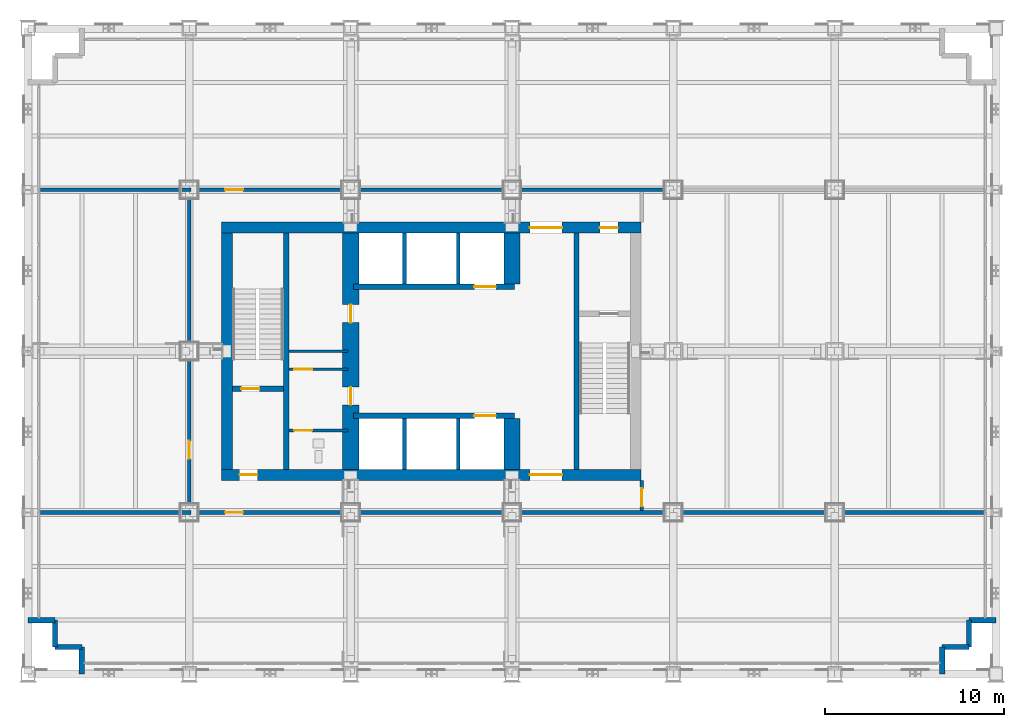
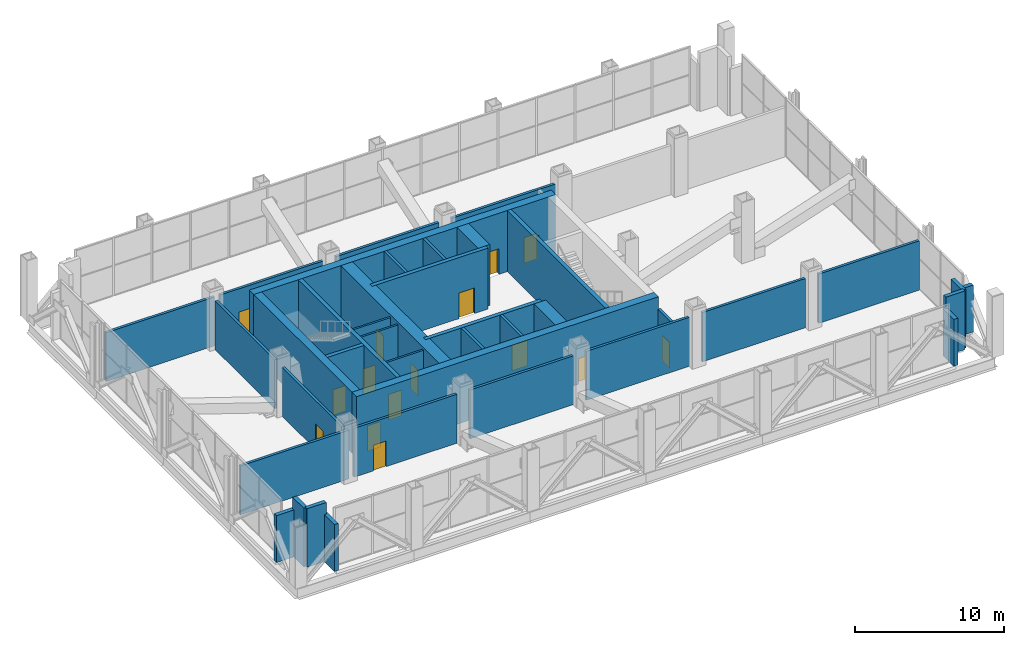
# One storey, part 16 of 19: 39 walls, 15 doors, 15 openings.
"""IFC4 building model written with IfcOpenShell, lengths in metres."""

from ifc_helpers import new_model, si_unit, direction, frame, frame_2d, origin, place, context, subcontext, project, spatial, rectangle, extrude, material, layer, layer_set, type_object, element, fill, save


model = new_model("IFC4")

# Units and contexts
model_context = context("Model", 3, precision=1e-05, world=origin(), true_north=direction((0.0, 1.0)))
body_context = subcontext(model_context, "Body", "Model", "MODEL_VIEW")
ifc_project = project(units=[si_unit("LENGTHUNIT", "METRE"), si_unit("AREAUNIT", "SQUARE_METRE"), si_unit("VOLUMEUNIT", "CUBIC_METRE"), si_unit("PLANEANGLEUNIT", "RADIAN"), si_unit("MASSUNIT", "GRAM", prefix="KILO")], contexts=[model_context])

# Site, building, storey
site_placement = place(None, origin())
site = spatial("IfcSite", under=ifc_project, at=site_placement, CompositionType="ELEMENT")
building_placement = place(site_placement, origin())
building = spatial("IfcBuilding", under=site, at=building_placement, Name="Loomwork Tower", CompositionType="ELEMENT")
storey_placement = place(building_placement, frame((0.0, 0.0, 89.199951171875)))
storey = spatial("IfcBuildingStorey", under=building, at=storey_placement, Name="L23", CompositionType="ELEMENT", Elevation=89.199951171875)

# Wall
ifc_material_1 = material(Name="Concrete 14000 psi (97 MPa)", Category="concrete")
ifc_layer_1 = layer(ifc_material_1, 0.300048828125)
ifc_layer_set_1 = layer_set([ifc_layer_1], Name="Core shear wall 300")
wall_type_1 = type_object("IfcWallType", Name="Core shear wall 300", PredefinedType="SHEAR", material=ifc_layer_set_1)
wall_1_placement = place(storey_placement, frame((14.39990234375, 11.39990234375, 0.0), z_axis=(0.0, 0.0, 1.0), x_axis=(0.0, 1.0, 0.0)))
element("IfcWall", 1, at=wall_1_placement, inside=storey, type_object=wall_type_1, Name="Stair A east wall L23", PredefinedType="SHEAR", context=body_context, shape_type="SweptSolid", body=[
    extrude(rectangle(XDim=13.2001953125, YDim=0.300048828125, at=frame_2d((6.60009765625, 0.0))), origin(), (0.0, 0.0, 1.0), 5.0),
])

# Wall, opening, door
wall_2_placement = place(storey_placement, frame((11.39990234375, 15.89990234375, 0.0), z_axis=(0.0, 0.0, 1.0), x_axis=(1.0, 0.0, 0.0)))
wall_2 = element("IfcWall", 2, at=wall_2_placement, inside=storey, type_object=wall_type_1, Name="Stair A south wall L23", PredefinedType="SHEAR", context=body_context, shape_type="SweptSolid", body=[
    extrude(rectangle(XDim=2.85009765625, YDim=0.300048828125, at=frame_2d((1.425048828125, 0.0))), origin(), (0.0, 0.0, 1.0), 5.0),
])
opening_1_placement = place(wall_2_placement, frame((0.5, 0.0, 0.0)))
opening_1 = element("IfcOpeningElement", 3, at=opening_1_placement, cuts=wall_2, Name="Opening D4", PredefinedType="OPENING", context=body_context, shape_type="SweptSolid", body=[
    extrude(rectangle(XDim=1.0, YDim=2.10009765625, at=frame_2d((0.5, 1.050048828125))), frame((0.0, 0.159912109375, 0.0), z_axis=(0.0, -1.0, 0.0), x_axis=(1.0, 0.0, 0.0)), (0.0, 0.0, 1.0), 0.320068359375),
])
ifc_material_2 = material(Name="Hollow metal door and frame")
door_type_1 = type_object("IfcDoorType", Name="Stair door 1000", OperationType="SINGLE_SWING_RIGHT", PredefinedType="DOOR", material=ifc_material_2)
door_1_placement = place(opening_1_placement, origin())
door_1 = element("IfcDoor", 4, at=door_1_placement, inside=storey, type_object=door_type_1, Name="Stair A door", OperationType="SINGLE_SWING_LEFT", OverallHeight=2.10009765625, OverallWidth=1.0, PredefinedType="DOOR", context=body_context, shape_type="SweptSolid", body=[
    extrude(rectangle(XDim=1.0, YDim=2.10009765625, at=frame_2d((0.5, 1.050048828125))), frame((0.0, 0.02490234375, 0.0), z_axis=(0.0, -1.0, 0.0), x_axis=(1.0, 0.0, 0.0)), (0.0, 0.0, 1.0), 0.050048828125),
])
fill(opening_1, door_1)

wall_3_placement = place(storey_placement, frame((18.14990234375, 14.39990234375, 0.0), z_axis=(0.0, 0.0, 1.0), x_axis=(1.0, 0.0, 0.0)))
wall_3 = element("IfcWall", 5, at=wall_3_placement, inside=storey, type_object=wall_type_1, Name="Lift front wall south L23", PredefinedType="SHEAR", context=body_context, shape_type="SweptSolid", body=[
    extrude(rectangle(XDim=9.0, YDim=0.300048828125, at=frame_2d((4.5, 0.0))), origin(), (0.0, 0.0, 1.0), 5.0),
])
opening_2_placement = place(wall_3_placement, frame((6.75, 0.0, 0.0)))
opening_2 = element("IfcOpeningElement", 6, at=opening_2_placement, cuts=wall_3, Name="Opening LD2", PredefinedType="OPENING", context=body_context, shape_type="SweptSolid", body=[
    extrude(rectangle(XDim=1.199951171875, YDim=2.10009765625, at=frame_2d((0.60009765625, 1.050048828125))), frame((0.0, 0.159912109375, 0.0), z_axis=(0.0, -1.0, 0.0), x_axis=(1.0, 0.0, 0.0)), (0.0, 0.0, 1.0), 0.320068359375),
])
ifc_material_3 = material(Name="Hollow metal door and frame")
door_type_2 = type_object("IfcDoorType", Name="Lift landing door 1200", OperationType="SLIDING_TO_LEFT", PredefinedType="DOOR", material=ifc_material_3)
door_2_placement = place(opening_2_placement, origin())
door_2 = element("IfcDoor", 7, at=door_2_placement, inside=storey, type_object=door_type_2, Name="Lift landing door LF1", OperationType="SLIDING_TO_LEFT", OverallHeight=2.10009765625, OverallWidth=1.199951171875, PredefinedType="DOOR", context=body_context, shape_type="SweptSolid", body=[
    extrude(rectangle(XDim=1.199951171875, YDim=2.10009765625, at=frame_2d((0.60009765625, 1.050048828125))), frame((0.0, 0.02490234375, 0.0), z_axis=(0.0, -1.0, 0.0), x_axis=(1.0, 0.0, 0.0)), (0.0, 0.0, 1.0), 0.050048828125),
])
fill(opening_2, door_2)

wall_4_placement = place(storey_placement, frame((18.14990234375, 21.60009765625, 0.0), z_axis=(0.0, 0.0, 1.0), x_axis=(1.0, 0.0, 0.0)))
wall_4 = element("IfcWall", 8, at=wall_4_placement, inside=storey, type_object=wall_type_1, Name="Lift front wall north L23", PredefinedType="SHEAR", context=body_context, shape_type="SweptSolid", body=[
    extrude(rectangle(XDim=9.0, YDim=0.300048828125, at=frame_2d((4.5, 0.0))), origin(), (0.0, 0.0, 1.0), 5.0),
])
opening_3_placement = place(wall_4_placement, frame((6.75, 0.0, 0.0)))
opening_3 = element("IfcOpeningElement", 9, at=opening_3_placement, cuts=wall_4, Name="Opening LD2", PredefinedType="OPENING", context=body_context, shape_type="SweptSolid", body=[
    extrude(rectangle(XDim=1.199951171875, YDim=2.10009765625, at=frame_2d((0.60009765625, 1.050048828125))), frame((0.0, 0.159912109375, 0.0), z_axis=(0.0, -1.0, 0.0), x_axis=(1.0, 0.0, 0.0)), (0.0, 0.0, 1.0), 0.320068359375),
])
door_3_placement = place(opening_3_placement, origin())
door_3 = element("IfcDoor", 10, at=door_3_placement, inside=storey, type_object=door_type_2, Name="Lift landing door LF2", OperationType="SLIDING_TO_LEFT", OverallHeight=2.10009765625, OverallWidth=1.199951171875, PredefinedType="DOOR", context=body_context, shape_type="SweptSolid", body=[
    extrude(rectangle(XDim=1.199951171875, YDim=2.10009765625, at=frame_2d((0.60009765625, 1.050048828125))), frame((0.0, 0.02490234375, 0.0), z_axis=(0.0, -1.0, 0.0), x_axis=(1.0, 0.0, 0.0)), (0.0, 0.0, 1.0), 0.050048828125),
])
fill(opening_3, door_3)

# Wall
wall_5_placement = place(storey_placement, frame((30.60009765625, 11.39990234375, 0.0), z_axis=(0.0, 0.0, 1.0), x_axis=(0.0, 1.0, 0.0)))
element("IfcWall", 11, at=wall_5_placement, inside=storey, type_object=wall_type_1, Name="Stair B west wall L23", PredefinedType="SHEAR", context=body_context, shape_type="SweptSolid", body=[
    extrude(rectangle(XDim=13.2001953125, YDim=0.300048828125, at=frame_2d((6.60009765625, 0.0))), origin(), (0.0, 0.0, 1.0), 5.0),
])

# Wall, openings, doors
ifc_material_4 = material(Name="Concrete 14000 psi (97 MPa)", Category="concrete")
ifc_layer_2 = layer(ifc_material_4, 0.60009765625)
ifc_layer_set_2 = layer_set([ifc_layer_2], Name="Core shear wall 600")
wall_type_2 = type_object("IfcWallType", Name="Core shear wall 600", PredefinedType="SHEAR", material=ifc_layer_set_2)
wall_6_placement = place(storey_placement, frame((10.800048828125, 11.10009765625, 0.0), z_axis=(0.0, 0.0, 1.0), x_axis=(1.0, 0.0, 0.0)))
wall_6 = element("IfcWall", 12, at=wall_6_placement, inside=storey, type_object=wall_type_2, Name="Core wall south L23", PredefinedType="SHEAR", context=body_context, shape_type="SweptSolid", body=[
    extrude(rectangle(XDim=23.39990234375, YDim=0.60009765625, at=frame_2d((11.699951171875, 0.0))), origin(), (0.0, 0.0, 1.0), 5.0),
])
opening_4_placement = place(wall_6_placement, frame((1.0, 0.0, 0.0)))
opening_4 = element("IfcOpeningElement", 13, at=opening_4_placement, cuts=wall_6, Name="Opening D4", PredefinedType="OPENING", context=body_context, shape_type="SweptSolid", body=[
    extrude(rectangle(XDim=1.0, YDim=2.10009765625, at=frame_2d((0.5, 1.050048828125))), frame((0.0, 0.31005859375, 0.0), z_axis=(0.0, -1.0, 0.0), x_axis=(1.0, 0.0, 0.0)), (0.0, 0.0, 1.0), 0.6201171875),
])
opening_5_placement = place(wall_6_placement, frame((17.199951171875, 0.0, 0.0)))
opening_5 = element("IfcOpeningElement", 14, at=opening_5_placement, cuts=wall_6, Name="Opening D6", PredefinedType="OPENING", context=body_context, shape_type="SweptSolid", body=[
    extrude(rectangle(XDim=1.800048828125, YDim=2.10009765625, at=frame_2d((0.89990234375, 1.050048828125))), frame((0.0, 0.31005859375, 0.0), z_axis=(0.0, -1.0, 0.0), x_axis=(1.0, 0.0, 0.0)), (0.0, 0.0, 1.0), 0.6201171875),
])
ifc_material_5 = material(Name="Hollow metal door and frame")
door_type_3 = type_object("IfcDoorType", Name="Lobby passage double door 1800", OperationType="DOUBLE_DOOR_SINGLE_SWING", PredefinedType="DOOR", material=ifc_material_5)
door_4_placement = place(opening_5_placement, origin())
door_4 = element("IfcDoor", 15, at=door_4_placement, inside=storey, type_object=door_type_3, Name="Lobby passage door south", OperationType="DOUBLE_DOOR_SINGLE_SWING", OverallHeight=2.10009765625, OverallWidth=1.800048828125, PredefinedType="DOOR", context=body_context, shape_type="SweptSolid", body=[
    extrude(rectangle(XDim=1.800048828125, YDim=2.10009765625, at=frame_2d((0.89990234375, 1.050048828125))), frame((0.0, 0.02490234375, 0.0), z_axis=(0.0, -1.0, 0.0), x_axis=(1.0, 0.0, 0.0)), (0.0, 0.0, 1.0), 0.050048828125),
])
fill(opening_5, door_4)
door_5_placement = place(opening_4_placement, origin())
door_5 = element("IfcDoor", 16, at=door_5_placement, inside=storey, type_object=door_type_1, Name="Stair A vestibule door", OperationType="SINGLE_SWING_LEFT", OverallHeight=2.10009765625, OverallWidth=1.0, PredefinedType="DOOR", context=body_context, shape_type="SweptSolid", body=[
    extrude(rectangle(XDim=1.0, YDim=2.10009765625, at=frame_2d((0.5, 1.050048828125))), frame((0.0, 0.02490234375, 0.0), z_axis=(0.0, -1.0, 0.0), x_axis=(1.0, 0.0, 0.0)), (0.0, 0.0, 1.0), 0.050048828125),
])
fill(opening_4, door_5)

wall_7_placement = place(storey_placement, frame((10.800048828125, 24.89990234375, 0.0), z_axis=(0.0, 0.0, 1.0), x_axis=(1.0, 0.0, 0.0)))
wall_7 = element("IfcWall", 17, at=wall_7_placement, inside=storey, type_object=wall_type_2, Name="Core wall north L23", PredefinedType="SHEAR", context=body_context, shape_type="SweptSolid", body=[
    extrude(rectangle(XDim=23.39990234375, YDim=0.60009765625, at=frame_2d((11.699951171875, 0.0))), origin(), (0.0, 0.0, 1.0), 5.0),
])
opening_6_placement = place(wall_7_placement, frame((17.199951171875, 0.0, 0.0)))
opening_6 = element("IfcOpeningElement", 18, at=opening_6_placement, cuts=wall_7, Name="Opening D6", PredefinedType="OPENING", context=body_context, shape_type="SweptSolid", body=[
    extrude(rectangle(XDim=1.800048828125, YDim=2.10009765625, at=frame_2d((0.89990234375, 1.050048828125))), frame((0.0, 0.31005859375, 0.0), z_axis=(0.0, -1.0, 0.0), x_axis=(1.0, 0.0, 0.0)), (0.0, 0.0, 1.0), 0.6201171875),
])
opening_7_placement = place(wall_7_placement, frame((21.10009765625, 0.0, 0.0)))
opening_7 = element("IfcOpeningElement", 19, at=opening_7_placement, cuts=wall_7, Name="Opening D4", PredefinedType="OPENING", context=body_context, shape_type="SweptSolid", body=[
    extrude(rectangle(XDim=1.0, YDim=2.10009765625, at=frame_2d((0.5, 1.050048828125))), frame((0.0, 0.31005859375, 0.0), z_axis=(0.0, -1.0, 0.0), x_axis=(1.0, 0.0, 0.0)), (0.0, 0.0, 1.0), 0.6201171875),
])
door_6_placement = place(opening_6_placement, frame((1.800048828125, 0.0, 0.0), z_axis=(0.0, 0.0, 1.0), x_axis=(-1.0, 0.0, 0.0)))
door_6 = element("IfcDoor", 20, at=door_6_placement, inside=storey, type_object=door_type_3, Name="Lobby passage door north", OperationType="DOUBLE_DOOR_SINGLE_SWING", OverallHeight=2.10009765625, OverallWidth=1.800048828125, PredefinedType="DOOR", context=body_context, shape_type="SweptSolid", body=[
    extrude(rectangle(XDim=1.800048828125, YDim=2.10009765625, at=frame_2d((0.89990234375, 1.050048828125))), frame((0.0, 0.02490234375, 0.0), z_axis=(0.0, -1.0, 0.0), x_axis=(1.0, 0.0, 0.0)), (0.0, 0.0, 1.0), 0.050048828125),
])
fill(opening_6, door_6)
door_7_placement = place(opening_7_placement, frame((1.0, 0.0, 0.0), z_axis=(0.0, 0.0, 1.0), x_axis=(-1.0, 0.0, 0.0)))
door_7 = element("IfcDoor", 21, at=door_7_placement, inside=storey, type_object=door_type_1, Name="Stair B vestibule door", OperationType="SINGLE_SWING_LEFT", OverallHeight=2.10009765625, OverallWidth=1.0, PredefinedType="DOOR", context=body_context, shape_type="SweptSolid", body=[
    extrude(rectangle(XDim=1.0, YDim=2.10009765625, at=frame_2d((0.5, 1.050048828125))), frame((0.0, 0.02490234375, 0.0), z_axis=(0.0, -1.0, 0.0), x_axis=(1.0, 0.0, 0.0)), (0.0, 0.0, 1.0), 0.050048828125),
])
fill(opening_7, door_7)

# Wall
wall_8_placement = place(storey_placement, frame((11.10009765625, 11.39990234375, 0.0), z_axis=(0.0, 0.0, 1.0), x_axis=(0.0, 1.0, 0.0)))
element("IfcWall", 22, at=wall_8_placement, inside=storey, type_object=wall_type_2, Name="Core wall west L23", PredefinedType="SHEAR", context=body_context, shape_type="SweptSolid", body=[
    extrude(rectangle(XDim=13.2001953125, YDim=0.60009765625, at=frame_2d((6.60009765625, 0.0))), origin(), (0.0, 0.0, 1.0), 5.0),
])

# Wall, openings, doors
ifc_material_6 = material(Name="Concrete 14000 psi (97 MPa)", Category="concrete")
ifc_layer_3 = layer(ifc_material_6, 0.89990234375)
ifc_layer_set_3 = layer_set([ifc_layer_3], Name="Core shear wall 900")
wall_type_3 = type_object("IfcWallType", Name="Core shear wall 900", PredefinedType="SHEAR", material=ifc_layer_set_3)
wall_9_placement = place(storey_placement, frame((18.0, 11.39990234375, 0.0), z_axis=(0.0, 0.0, 1.0), x_axis=(0.0, 1.0, 0.0)))
wall_9 = element("IfcWall", 23, at=wall_9_placement, inside=storey, type_object=wall_type_3, Name="Lobby west wall L23", PredefinedType="SHEAR", context=body_context, shape_type="SweptSolid", body=[
    extrude(rectangle(XDim=13.2001953125, YDim=0.89990234375, at=frame_2d((6.60009765625, 0.0))), origin(), (0.0, 0.0, 1.0), 5.0),
])
opening_8_placement = place(wall_9_placement, frame((3.60009765625, 0.0, 0.0)))
opening_8 = element("IfcOpeningElement", 24, at=opening_8_placement, cuts=wall_9, Name="Opening D5", PredefinedType="OPENING", context=body_context, shape_type="SweptSolid", body=[
    extrude(rectangle(XDim=1.0, YDim=2.10009765625, at=frame_2d((0.5, 1.050048828125))), frame((0.0, 0.4599609375, 0.0), z_axis=(0.0, -1.0, 0.0), x_axis=(1.0, 0.0, 0.0)), (0.0, 0.0, 1.0), 0.919921875),
])
opening_9_placement = place(wall_9_placement, frame((8.199951171875, 0.0, 0.0)))
opening_9 = element("IfcOpeningElement", 25, at=opening_9_placement, cuts=wall_9, Name="Opening D5", PredefinedType="OPENING", context=body_context, shape_type="SweptSolid", body=[
    extrude(rectangle(XDim=1.0, YDim=2.10009765625, at=frame_2d((0.5, 1.050048828125))), frame((0.0, 0.4599609375, 0.0), z_axis=(0.0, -1.0, 0.0), x_axis=(1.0, 0.0, 0.0)), (0.0, 0.0, 1.0), 0.919921875),
])
ifc_material_7 = material(Name="Hollow metal door and frame")
door_type_4 = type_object("IfcDoorType", Name="Service door 1000", OperationType="SINGLE_SWING_LEFT", PredefinedType="DOOR", material=ifc_material_7)
door_8_placement = place(opening_8_placement, origin())
door_8 = element("IfcDoor", 26, at=door_8_placement, inside=storey, type_object=door_type_4, Name="Back-of-house door south", OperationType="SINGLE_SWING_LEFT", OverallHeight=2.10009765625, OverallWidth=1.0, PredefinedType="DOOR", context=body_context, shape_type="SweptSolid", body=[
    extrude(rectangle(XDim=1.0, YDim=2.10009765625, at=frame_2d((0.5, 1.050048828125))), frame((0.0, 0.02490234375, 0.0), z_axis=(0.0, -1.0, 0.0), x_axis=(1.0, 0.0, 0.0)), (0.0, 0.0, 1.0), 0.050048828125),
])
fill(opening_8, door_8)
door_9_placement = place(opening_9_placement, origin())
door_9 = element("IfcDoor", 27, at=door_9_placement, inside=storey, type_object=door_type_4, Name="Back-of-house door north", OperationType="SINGLE_SWING_RIGHT", OverallHeight=2.10009765625, OverallWidth=1.0, PredefinedType="DOOR", context=body_context, shape_type="SweptSolid", body=[
    extrude(rectangle(XDim=1.0, YDim=2.10009765625, at=frame_2d((0.5, 1.050048828125))), frame((0.0, 0.02490234375, 0.0), z_axis=(0.0, -1.0, 0.0), x_axis=(1.0, 0.0, 0.0)), (0.0, 0.0, 1.0), 0.050048828125),
])
fill(opening_9, door_9)

# Walls
for number, where, z_axis, x_axis, name in (
    (28, (27.0, 11.39990234375, 0.0), (0.0, 0.0, 1.0), (0.0, 1.0, 0.0), "Lift shaft end wall south L23"),
    (29, (27.0, 21.75, 0.0), (0.0, 0.0, 1.0), (0.0, 1.0, 0.0), "Lift shaft end wall north L23"),
):
    element("IfcWall", number, at=place(storey_placement, frame(where, z_axis=z_axis, x_axis=x_axis)), inside=storey, type_object=wall_type_3, Name=name, PredefinedType="SHEAR", context=body_context, shape_type="SweptSolid", body=[
        extrude(rectangle(XDim=2.85009765625, YDim=0.89990234375, at=frame_2d((1.425048828125, 0.0))), origin(), (0.0, 0.0, 1.0), 5.0),
    ])

# Wall, opening, door
ifc_material_8 = material(Name="Gypsum board on steel studs, one-hour", Category="steel")
ifc_layer_4 = layer(ifc_material_8, 0.199951171875)
ifc_layer_set_4 = layer_set([ifc_layer_4], Name="Corridor wall 200")
wall_type_4 = type_object("IfcWallType", Name="Corridor wall 200", PredefinedType="PARTITIONING", material=ifc_layer_set_4)
wall_10_placement = place(storey_placement, frame((9.5, 9.0, 0.0), z_axis=(0.0, 0.0, 1.0), x_axis=(1.0, 0.0, 0.0)))
wall_10 = element("IfcWall", 30, at=wall_10_placement, inside=storey, type_object=wall_type_4, Name="Plant corridor wall S 1", PredefinedType="PARTITIONING", context=body_context, shape_type="SweptSolid", body=[
    extrude(rectangle(XDim=8.0, YDim=0.199951171875, at=frame_2d((4.0, 0.0))), origin(), (0.0, 0.0, 1.0), 4.005126953125),
])
opening_10_placement = place(wall_10_placement, frame((1.5, 0.0, 0.0)))
opening_10 = element("IfcOpeningElement", 31, at=opening_10_placement, cuts=wall_10, Name="Opening D18", PredefinedType="OPENING", context=body_context, shape_type="SweptSolid", body=[
    extrude(rectangle(XDim=1.0, YDim=2.10009765625, at=frame_2d((0.5, 1.050048828125))), frame((0.0, 0.10986328125, 0.0), z_axis=(0.0, -1.0, 0.0), x_axis=(1.0, 0.0, 0.0)), (0.0, 0.0, 1.0), 0.219970703125),
])
ifc_material_9 = material(Name="Hollow metal door and frame")
door_type_5 = type_object("IfcDoorType", Name="Ninety-minute service door 1000", OperationType="SINGLE_SWING_LEFT", PredefinedType="DOOR", material=ifc_material_9)
door_10_placement = place(opening_10_placement, frame((1.0, 0.0, 0.0), z_axis=(0.0, 0.0, 1.0), x_axis=(-1.0, 0.0, 0.0)))
door_10 = element("IfcDoor", 32, at=door_10_placement, inside=storey, type_object=door_type_5, Name="Air handling plant room door", OperationType="SINGLE_SWING_RIGHT", OverallHeight=2.10009765625, OverallWidth=1.0, PredefinedType="DOOR", context=body_context, shape_type="SweptSolid", body=[
    extrude(rectangle(XDim=1.0, YDim=2.10009765625, at=frame_2d((0.5, 1.050048828125))), frame((0.0, 0.02490234375, 0.0), z_axis=(0.0, -1.0, 0.0), x_axis=(1.0, 0.0, 0.0)), (0.0, 0.0, 1.0), 0.050048828125),
])
fill(opening_10, door_10)

# Walls
for number, where, z_axis, x_axis, name in (
    (33, (18.5, 9.0, 0.0), (0.0, 0.0, 1.0), (1.0, 0.0, 0.0), "Plant corridor wall S 2"),
    (34, (27.5, 9.0, 0.0), (0.0, 0.0, 1.0), (1.0, 0.0, 0.0), "Plant corridor wall S 3"),
):
    element("IfcWall", number, at=place(storey_placement, frame(where, z_axis=z_axis, x_axis=x_axis)), inside=storey, type_object=wall_type_4, Name=name, PredefinedType="PARTITIONING", context=body_context, shape_type="SweptSolid", body=[
        extrude(rectangle(XDim=8.0, YDim=0.199951171875, at=frame_2d((4.0, 0.0))), origin(), (0.0, 0.0, 1.0), 4.005126953125),
    ])
wall_11_placement = place(storey_placement, frame((36.5, 9.0, 0.0), z_axis=(0.0, 0.0, 1.0), x_axis=(1.0, 0.0, 0.0)))
element("IfcWall", 35, at=wall_11_placement, inside=storey, type_object=wall_type_4, Name="Plant corridor wall S 4", PredefinedType="PARTITIONING", context=body_context, shape_type="SweptSolid", body=[
    extrude(rectangle(XDim=8.0, YDim=0.199951171875, at=frame_2d((4.0, 0.0))), origin(), (0.0, 0.0, 1.0), 4.0380859375),
])
wall_12_placement = place(storey_placement, frame((45.5, 9.0, 0.0), z_axis=(0.0, 0.0, 1.0), x_axis=(1.0, 0.0, 0.0)))
element("IfcWall", 36, at=wall_12_placement, inside=storey, type_object=wall_type_4, Name="Plant corridor wall S 5", PredefinedType="PARTITIONING", context=body_context, shape_type="SweptSolid", body=[
    extrude(rectangle(XDim=7.800048828125, YDim=0.199951171875, at=frame_2d((3.89990234375, 0.0))), origin(), (0.0, 0.0, 1.0), 4.0380859375),
])

# Wall, opening, door
wall_13_placement = place(storey_placement, frame((34.239990234375, 9.10009765625, 0.0), z_axis=(0.0, 0.0, 1.0), x_axis=(0.0, 1.0, 0.0)))
wall_13 = element("IfcWall", 37, at=wall_13_placement, inside=storey, type_object=wall_type_4, Name="Plant corridor end wall S 1", PredefinedType="PARTITIONING", context=body_context, shape_type="SweptSolid", body=[
    extrude(rectangle(XDim=1.699951171875, YDim=0.199951171875, at=frame_2d((0.85009765625, 0.0))), origin(), (0.0, 0.0, 1.0), 4.004150390625),
])
opening_11_placement = place(wall_13_placement, frame((0.25, 0.0, 0.0)))
opening_11 = element("IfcOpeningElement", 38, at=opening_11_placement, cuts=wall_13, Name="Opening D18", PredefinedType="OPENING", context=body_context, shape_type="SweptSolid", body=[
    extrude(rectangle(XDim=1.0, YDim=2.10009765625, at=frame_2d((0.5, 1.050048828125))), frame((0.0, 0.10986328125, 0.0), z_axis=(0.0, -1.0, 0.0), x_axis=(1.0, 0.0, 0.0)), (0.0, 0.0, 1.0), 0.219970703125),
])
door_11_placement = place(opening_11_placement, frame((1.0, 0.0, 0.0), z_axis=(0.0, 0.0, 1.0), x_axis=(-1.0, 0.0, 0.0)))
door_11 = element("IfcDoor", 39, at=door_11_placement, inside=storey, type_object=door_type_5, Name="Electrical switch room door", OperationType="SINGLE_SWING_RIGHT", OverallHeight=2.10009765625, OverallWidth=1.0, PredefinedType="DOOR", context=body_context, shape_type="SweptSolid", body=[
    extrude(rectangle(XDim=1.0, YDim=2.10009765625, at=frame_2d((0.5, 1.050048828125))), frame((0.0, 0.02490234375, 0.0), z_axis=(0.0, -1.0, 0.0), x_axis=(1.0, 0.0, 0.0)), (0.0, 0.0, 1.0), 0.050048828125),
])
fill(opening_11, door_11)

wall_14_placement = place(storey_placement, frame((9.5, 27.0, 0.0), z_axis=(0.0, 0.0, 1.0), x_axis=(1.0, 0.0, 0.0)))
wall_14 = element("IfcWall", 40, at=wall_14_placement, inside=storey, type_object=wall_type_4, Name="Plant corridor wall N 1", PredefinedType="PARTITIONING", context=body_context, shape_type="SweptSolid", body=[
    extrude(rectangle(XDim=8.0, YDim=0.199951171875, at=frame_2d((4.0, 0.0))), origin(), (0.0, 0.0, 1.0), 4.005126953125),
])
opening_12_placement = place(wall_14_placement, frame((1.5, 0.0, 0.0)))
opening_12 = element("IfcOpeningElement", 41, at=opening_12_placement, cuts=wall_14, Name="Opening D18", PredefinedType="OPENING", context=body_context, shape_type="SweptSolid", body=[
    extrude(rectangle(XDim=1.0, YDim=2.10009765625, at=frame_2d((0.5, 1.050048828125))), frame((0.0, 0.10986328125, 0.0), z_axis=(0.0, -1.0, 0.0), x_axis=(1.0, 0.0, 0.0)), (0.0, 0.0, 1.0), 0.219970703125),
])
door_12_placement = place(opening_12_placement, origin())
door_12 = element("IfcDoor", 42, at=door_12_placement, inside=storey, type_object=door_type_5, Name="Chilled water plant room door", OperationType="SINGLE_SWING_LEFT", OverallHeight=2.10009765625, OverallWidth=1.0, PredefinedType="DOOR", context=body_context, shape_type="SweptSolid", body=[
    extrude(rectangle(XDim=1.0, YDim=2.10009765625, at=frame_2d((0.5, 1.050048828125))), frame((0.0, 0.02490234375, 0.0), z_axis=(0.0, -1.0, 0.0), x_axis=(1.0, 0.0, 0.0)), (0.0, 0.0, 1.0), 0.050048828125),
])
fill(opening_12, door_12)

# Walls
for number, where, z_axis, x_axis, name in (
    (43, (18.5, 27.0, 0.0), (0.0, 0.0, 1.0), (1.0, 0.0, 0.0), "Plant corridor wall N 2"),
    (44, (27.5, 27.0, 0.0), (0.0, 0.0, 1.0), (1.0, 0.0, 0.0), "Plant corridor wall N 3"),
):
    element("IfcWall", number, at=place(storey_placement, frame(where, z_axis=z_axis, x_axis=x_axis)), inside=storey, type_object=wall_type_4, Name=name, PredefinedType="PARTITIONING", context=body_context, shape_type="SweptSolid", body=[
        extrude(rectangle(XDim=8.0, YDim=0.199951171875, at=frame_2d((4.0, 0.0))), origin(), (0.0, 0.0, 1.0), 4.005126953125),
    ])
ifc_material_10 = material(Name="Concrete 14000 psi (97 MPa)", Category="concrete")
ifc_layer_5 = layer(ifc_material_10, 0.199951171875)
ifc_layer_set_5 = layer_set([ifc_layer_5], Name="Lift shaft wall 200")
wall_type_5 = type_object("IfcWallType", Name="Lift shaft wall 200", PredefinedType="SHEAR", material=ifc_layer_set_5)
for number, where, z_axis, x_axis, name in (
    (45, (21.0, 11.39990234375, 0.0), (0.0, 0.0, 1.0), (0.0, 1.0, 0.0), "Lift shaft separation wall south 1 L23"),
    (46, (24.0, 11.39990234375, 0.0), (0.0, 0.0, 1.0), (0.0, 1.0, 0.0), "Lift shaft separation wall south 2 L23"),
    (47, (21.0, 21.75, 0.0), (0.0, 0.0, 1.0), (0.0, 1.0, 0.0), "Lift shaft separation wall north 1 L23"),
    (48, (24.0, 21.75, 0.0), (0.0, 0.0, 1.0), (0.0, 1.0, 0.0), "Lift shaft separation wall north 2 L23"),
):
    element("IfcWall", number, at=place(storey_placement, frame(where, z_axis=z_axis, x_axis=x_axis)), inside=storey, type_object=wall_type_5, Name=name, PredefinedType="SHEAR", context=body_context, shape_type="SweptSolid", body=[
        extrude(rectangle(XDim=2.85009765625, YDim=0.199951171875, at=frame_2d((1.425048828125, 0.0))), origin(), (0.0, 0.0, 1.0), 5.0),
    ])
ifc_material_11 = material(Name="Limestone on concrete masonry", Category="masonry")
ifc_layer_6 = layer(ifc_material_11, 0.300048828125)
ifc_layer_set_6 = layer_set([ifc_layer_6], Name="Limestone corner wall 300")
wall_type_6 = type_object("IfcWallType", Name="Limestone corner wall 300", PredefinedType="SOLIDWALL", material=ifc_layer_set_6)
wall_15_placement = place(storey_placement, frame((51.0, 0.0, 0.0), z_axis=(0.0, 0.0, 1.0), x_axis=(0.0, 1.0, 0.0)))
element("IfcWall", 49, at=wall_15_placement, inside=storey, type_object=wall_type_6, Name="Stone corner wall SE 1", PredefinedType="SOLIDWALL", context=body_context, shape_type="SweptSolid", body=[
    extrude(rectangle(XDim=1.5, YDim=0.300048828125, at=frame_2d((0.75, 0.0))), origin(), (0.0, 0.0, 1.0), 3.85205078125),
])
for number, where, z_axis, x_axis, name in (
    (50, (51.0, 1.5, 0.0), (0.0, 0.0, 1.0), (1.0, 0.0, 0.0), "Stone corner wall SE 2"),
    (51, (52.5, 1.5, 0.0), (0.0, 0.0, 1.0), (0.0, 1.0, 0.0), "Stone corner wall SE 3"),
):
    element("IfcWall", number, at=place(storey_placement, frame(where, z_axis=z_axis, x_axis=x_axis)), inside=storey, type_object=wall_type_6, Name=name, PredefinedType="SOLIDWALL", context=body_context, shape_type="SweptSolid", body=[
        extrude(rectangle(XDim=1.5, YDim=0.300048828125, at=frame_2d((0.75, 0.0))), origin(), (0.0, 0.0, 1.0), 4.800048828125),
    ])
for number, where, z_axis, x_axis, name in (
    (52, (52.5, 3.0, 0.0), (0.0, 0.0, 1.0), (1.0, 0.0, 0.0), "Stone corner wall SE 4"),
    (53, (0.0, 3.0, 0.0), (0.0, 0.0, 1.0), (1.0, 0.0, 0.0), "Stone corner wall SW 1"),
):
    element("IfcWall", number, at=place(storey_placement, frame(where, z_axis=z_axis, x_axis=x_axis)), inside=storey, type_object=wall_type_6, Name=name, PredefinedType="SOLIDWALL", context=body_context, shape_type="SweptSolid", body=[
        extrude(rectangle(XDim=1.5, YDim=0.300048828125, at=frame_2d((0.75, 0.0))), origin(), (0.0, 0.0, 1.0), 3.85205078125),
    ])
for number, where, z_axis, x_axis, name in (
    (54, (1.5, 3.0, 0.0), (0.0, 0.0, 1.0), (0.0, -1.0, 0.0), "Stone corner wall SW 2"),
    (55, (1.5, 1.5, 0.0), (0.0, 0.0, 1.0), (1.0, 0.0, 0.0), "Stone corner wall SW 3"),
):
    element("IfcWall", number, at=place(storey_placement, frame(where, z_axis=z_axis, x_axis=x_axis)), inside=storey, type_object=wall_type_6, Name=name, PredefinedType="SOLIDWALL", context=body_context, shape_type="SweptSolid", body=[
        extrude(rectangle(XDim=1.5, YDim=0.300048828125, at=frame_2d((0.75, 0.0))), origin(), (0.0, 0.0, 1.0), 4.800048828125),
    ])
wall_16_placement = place(storey_placement, frame((3.0, 1.5, 0.0), z_axis=(0.0, 0.0, 1.0), x_axis=(0.0, -1.0, 0.0)))
element("IfcWall", 56, at=wall_16_placement, inside=storey, type_object=wall_type_6, Name="Stone corner wall SW 4", PredefinedType="SOLIDWALL", context=body_context, shape_type="SweptSolid", body=[
    extrude(rectangle(XDim=1.5, YDim=0.300048828125, at=frame_2d((0.75, 0.0))), origin(), (0.0, 0.0, 1.0), 3.85205078125),
])
ifc_material_12 = material(Name="Gypsum board on steel studs", Category="steel")
ifc_layer_7 = layer(ifc_material_12, 0.14990234375)
ifc_layer_set_7 = layer_set([ifc_layer_7], Name="Partition 150 two-hour")
wall_type_7 = type_object("IfcWallType", Name="Partition 150 two-hour", PredefinedType="PARTITIONING", material=ifc_layer_set_7)
wall_17_placement = place(storey_placement, frame((14.550048828125, 18.0, 0.0), z_axis=(0.0, 0.0, 1.0), x_axis=(1.0, 0.0, 0.0)))
element("IfcWall", 57, at=wall_17_placement, inside=storey, type_object=wall_type_7, Name="Back-of-house dividing wall L23", PredefinedType="PARTITIONING", context=body_context, shape_type="SweptSolid", body=[
    extrude(rectangle(XDim=3.300048828125, YDim=0.14990234375, at=frame_2d((1.64990234375, 0.0))), origin(), (0.0, 0.0, 1.0), 4.800048828125),
])

# Wall, opening, door
ifc_material_13 = material(Name="Gypsum board on steel studs, two-hour", Category="steel")
ifc_layer_8 = layer(ifc_material_13, 0.199951171875)
ifc_layer_set_8 = layer_set([ifc_layer_8], Name="Refuge enclosure wall 200")
wall_type_8 = type_object("IfcWallType", Name="Refuge enclosure wall 200", PredefinedType="PARTITIONING", material=ifc_layer_set_8)
wall_18_placement = place(storey_placement, frame((9.0, 9.5, 0.0), z_axis=(0.0, 0.0, 1.0), x_axis=(0.0, 1.0, 0.0)))
wall_18 = element("IfcWall", 58, at=wall_18_placement, inside=storey, type_object=wall_type_8, Name="Refuge area wall 1", PredefinedType="PARTITIONING", context=body_context, shape_type="SweptSolid", body=[
    extrude(rectangle(XDim=8.0, YDim=0.199951171875, at=frame_2d((4.0, 0.0))), origin(), (0.0, 0.0, 1.0), 4.005126953125),
])
opening_13_placement = place(wall_18_placement, frame((2.5, 0.0, 0.0)))
opening_13 = element("IfcOpeningElement", 59, at=opening_13_placement, cuts=wall_18, Name="Opening D4", PredefinedType="OPENING", context=body_context, shape_type="SweptSolid", body=[
    extrude(rectangle(XDim=1.0, YDim=2.10009765625, at=frame_2d((0.5, 1.050048828125))), frame((0.0, 0.10986328125, 0.0), z_axis=(0.0, -1.0, 0.0), x_axis=(1.0, 0.0, 0.0)), (0.0, 0.0, 1.0), 0.219970703125),
])
door_13_placement = place(opening_13_placement, origin())
door_13 = element("IfcDoor", 60, at=door_13_placement, inside=storey, type_object=door_type_1, Name="Refuge area door", OperationType="SINGLE_SWING_LEFT", OverallHeight=2.10009765625, OverallWidth=1.0, PredefinedType="DOOR", context=body_context, shape_type="SweptSolid", body=[
    extrude(rectangle(XDim=1.0, YDim=2.10009765625, at=frame_2d((0.5, 1.050048828125))), frame((0.0, 0.02490234375, 0.0), z_axis=(0.0, -1.0, 0.0), x_axis=(1.0, 0.0, 0.0)), (0.0, 0.0, 1.0), 0.050048828125),
])
fill(opening_13, door_13)

# Walls
wall_19_placement = place(storey_placement, frame((9.0, 18.5, 0.0), z_axis=(0.0, 0.0, 1.0), x_axis=(0.0, 1.0, 0.0)))
element("IfcWall", 61, at=wall_19_placement, inside=storey, type_object=wall_type_8, Name="Refuge area wall 2", PredefinedType="PARTITIONING", context=body_context, shape_type="SweptSolid", body=[
    extrude(rectangle(XDim=8.0, YDim=0.199951171875, at=frame_2d((4.0, 0.0))), origin(), (0.0, 0.0, 1.0), 4.005126953125),
])
for number, where, z_axis, x_axis, name in (
    (62, (0.699951171875, 9.0, 0.0), (0.0, 0.0, 1.0), (1.0, 0.0, 0.0), "Refuge area wall S"),
    (63, (0.699951171875, 27.0, 0.0), (0.0, 0.0, 1.0), (1.0, 0.0, 0.0), "Refuge area wall N"),
):
    element("IfcWall", number, at=place(storey_placement, frame(where, z_axis=z_axis, x_axis=x_axis)), inside=storey, type_object=wall_type_8, Name=name, PredefinedType="PARTITIONING", context=body_context, shape_type="SweptSolid", body=[
        extrude(rectangle(XDim=8.400146484375, YDim=0.199951171875, at=frame_2d((4.2001953125, 0.0))), origin(), (0.0, 0.0, 1.0), 4.005126953125),
    ])

# Wall, opening, door
ifc_material_14 = material(Name="Gypsum board on steel studs, one-hour", Category="steel")
ifc_layer_9 = layer(ifc_material_14, 0.14990234375)
ifc_layer_set_9 = layer_set([ifc_layer_9], Name="Service partition 150")
wall_type_9 = type_object("IfcWallType", Name="Service partition 150", PredefinedType="PARTITIONING", material=ifc_layer_set_9)
wall_20_placement = place(storey_placement, frame((14.550048828125, 17.0, 0.0), z_axis=(0.0, 0.0, 1.0), x_axis=(1.0, 0.0, 0.0)))
wall_20 = element("IfcWall", 64, at=wall_20_placement, inside=storey, type_object=wall_type_9, Name="Riser enclosure L23", PredefinedType="PARTITIONING", context=body_context, shape_type="SweptSolid", body=[
    extrude(rectangle(XDim=3.300048828125, YDim=0.14990234375, at=frame_2d((1.64990234375, 0.0))), origin(), (0.0, 0.0, 1.0), 4.800048828125),
])
opening_14_placement = place(wall_20_placement, frame((0.300048828125, 0.0, 0.0)))
opening_14 = element("IfcOpeningElement", 65, at=opening_14_placement, cuts=wall_20, Name="Opening D18", PredefinedType="OPENING", context=body_context, shape_type="SweptSolid", body=[
    extrude(rectangle(XDim=1.0, YDim=2.10009765625, at=frame_2d((0.5, 1.050048828125))), frame((0.0, 0.0849609375, 0.0), z_axis=(0.0, -1.0, 0.0), x_axis=(1.0, 0.0, 0.0)), (0.0, 0.0, 1.0), 0.169921875),
])
door_14_placement = place(opening_14_placement, frame((1.0, 0.0, 0.0), z_axis=(0.0, 0.0, 1.0), x_axis=(-1.0, 0.0, 0.0)))
door_14 = element("IfcDoor", 66, at=door_14_placement, inside=storey, type_object=door_type_5, Name="Riser access door", OperationType="SINGLE_SWING_RIGHT", OverallHeight=2.10009765625, OverallWidth=1.0, PredefinedType="DOOR", context=body_context, shape_type="SweptSolid", body=[
    extrude(rectangle(XDim=1.0, YDim=2.10009765625, at=frame_2d((0.5, 1.050048828125))), frame((0.0, 0.02490234375, 0.0), z_axis=(0.0, -1.0, 0.0), x_axis=(1.0, 0.0, 0.0)), (0.0, 0.0, 1.0), 0.050048828125),
])
fill(opening_14, door_14)

wall_21_placement = place(storey_placement, frame((14.550048828125, 13.574951171875, 0.0), z_axis=(0.0, 0.0, 1.0), x_axis=(1.0, 0.0, 0.0)))
wall_21 = element("IfcWall", 67, at=wall_21_placement, inside=storey, type_object=wall_type_9, Name="Back-of-house partition L23", PredefinedType="PARTITIONING", context=body_context, shape_type="SweptSolid", body=[
    extrude(rectangle(XDim=3.300048828125, YDim=0.14990234375, at=frame_2d((1.64990234375, 0.0))), origin(), (0.0, 0.0, 1.0), 4.800048828125),
])
opening_15_placement = place(wall_21_placement, frame((0.300048828125, 0.0, 0.0)))
opening_15 = element("IfcOpeningElement", 68, at=opening_15_placement, cuts=wall_21, Name="Opening D5", PredefinedType="OPENING", context=body_context, shape_type="SweptSolid", body=[
    extrude(rectangle(XDim=1.0, YDim=2.10009765625, at=frame_2d((0.5, 1.050048828125))), frame((0.0, 0.0849609375, 0.0), z_axis=(0.0, -1.0, 0.0), x_axis=(1.0, 0.0, 0.0)), (0.0, 0.0, 1.0), 0.169921875),
])
door_15_placement = place(opening_15_placement, frame((1.0, 0.0, 0.0), z_axis=(0.0, 0.0, 1.0), x_axis=(-1.0, 0.0, 0.0)))
door_15 = element("IfcDoor", 69, at=door_15_placement, inside=storey, type_object=door_type_4, Name="Back-of-house room door", OperationType="SINGLE_SWING_RIGHT", OverallHeight=2.10009765625, OverallWidth=1.0, PredefinedType="DOOR", context=body_context, shape_type="SweptSolid", body=[
    extrude(rectangle(XDim=1.0, YDim=2.10009765625, at=frame_2d((0.5, 1.050048828125))), frame((0.0, 0.02490234375, 0.0), z_axis=(0.0, -1.0, 0.0), x_axis=(1.0, 0.0, 0.0)), (0.0, 0.0, 1.0), 0.050048828125),
])
fill(opening_15, door_15)

save(model, "model.ifc")
